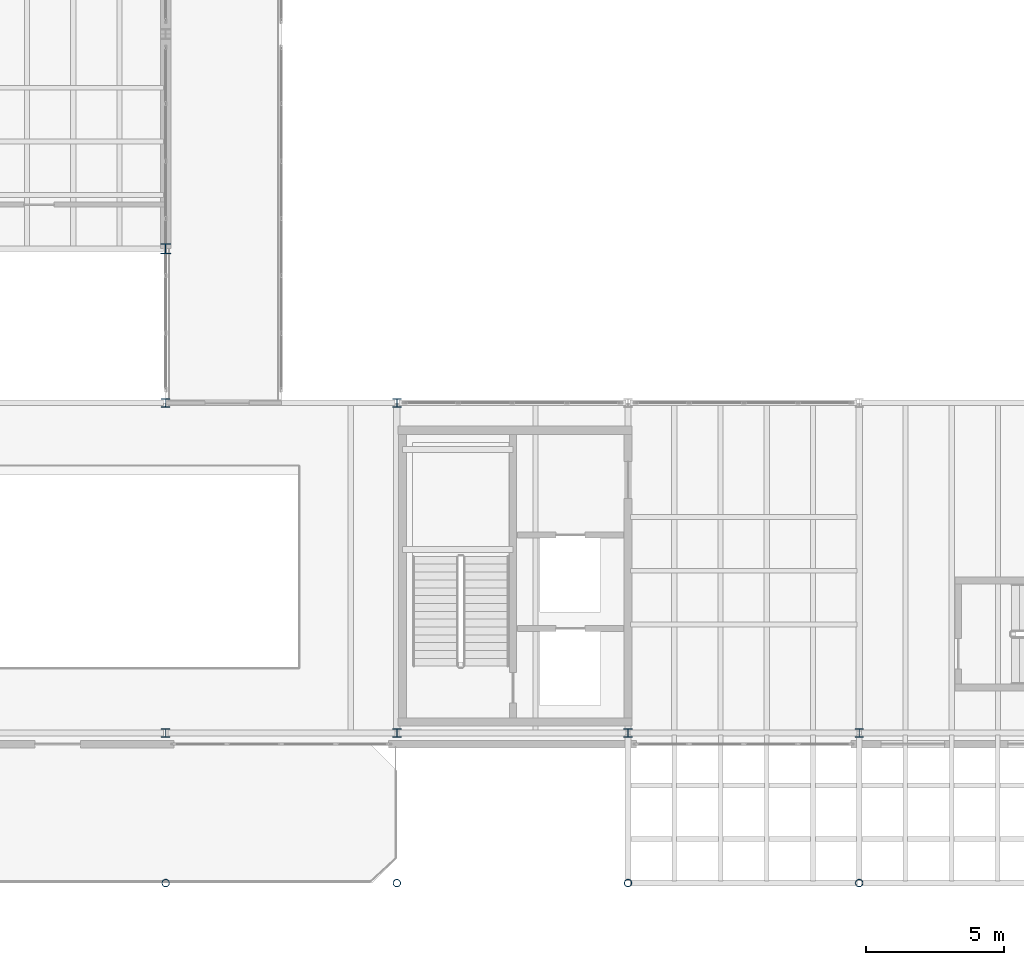
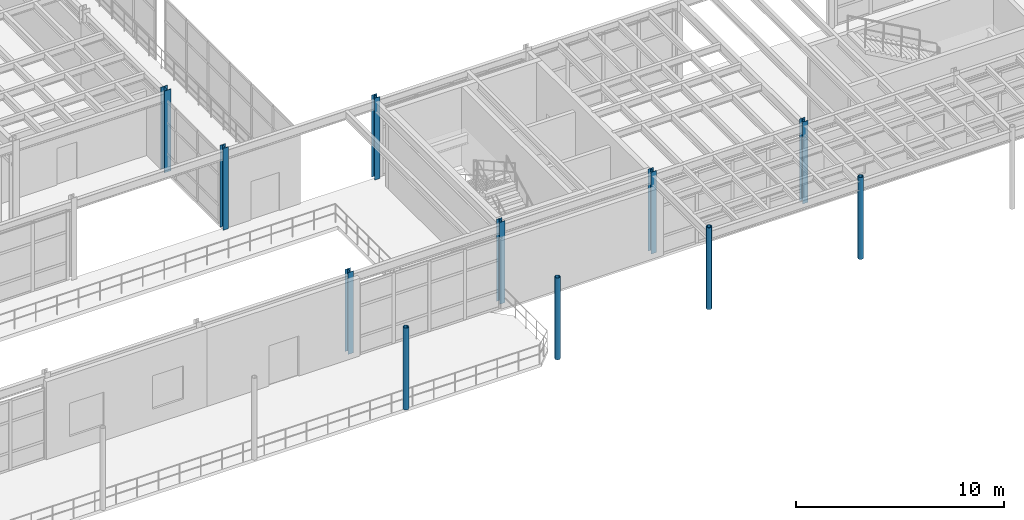
# One storey, part 6 of 116: 11 columns.
"""IFC4 building model written with IfcOpenShell, lengths in metres."""

from ifc_helpers import new_model, si_unit, direction, frame, origin, origin_2d, place, context, subcontext, project, spatial, hollow_circle, i_section, extrude, material, material_profile, profile_set, type_object, element, save


model = new_model("IFC4")

# Units and contexts
model_context = context("Model", 3, precision=1e-05, world=origin(), true_north=direction((0.0, 1.0)))
body_context = subcontext(model_context, "Body", "Model", "MODEL_VIEW")
ifc_project = project(units=[si_unit("LENGTHUNIT", "METRE"), si_unit("AREAUNIT", "SQUARE_METRE"), si_unit("VOLUMEUNIT", "CUBIC_METRE"), si_unit("PLANEANGLEUNIT", "RADIAN"), si_unit("MASSUNIT", "GRAM", prefix="KILO")], contexts=[model_context])

# Site, building, storey
site_placement = place(None, origin())
site = spatial("IfcSite", under=ifc_project, at=site_placement, CompositionType="ELEMENT")
building_placement = place(site_placement, origin())
building = spatial("IfcBuilding", under=site, at=building_placement, Name="Selat Folded Stagehouse", CompositionType="ELEMENT")
storey_placement = place(building_placement, frame((0.0, 0.0, 5.39990234375)))
storey = spatial("IfcBuildingStorey", under=building, at=storey_placement, Name="L01", CompositionType="ELEMENT", Elevation=5.39990234375)

# Columns
ifc_material = material(Name="Steel S355", Category="steel")
ifc_material_profile_1 = material_profile(ifc_material, hollow_circle(Radius=0.136474609375, WallThickness=0.012451171875, at=origin_2d()), Name="CHS 273.0x12.5")
ifc_profile_set_1 = profile_set([ifc_material_profile_1], Name="Steel S355")
column_type_1 = type_object("IfcColumnType", Name="COL-CHS-273x12.5", PredefinedType="COLUMN", material=ifc_profile_set_1)
for number, where, z_axis, x_axis, name in (
    (1, (67.199951171875, 0.35009765625, 0.0), (0.0, 0.0, 1.0), (1.0, 0.0, 0.0), "L01 column STK-COLPOST-67"),
    (2, (75.60009765625, 0.35009765625, 0.0), (0.0, 0.0, 1.0), (1.0, 0.0, 0.0), "L01 column STK-COLPOST-75"),
    (3, (84.0, 0.35009765625, 0.0), (0.0, 0.0, 1.0), (1.0, 0.0, 0.0), "L01 column STK-COLPOST-84"),
    (4, (92.39990234375, 0.35009765625, 0.0), (0.0, 0.0, 1.0), (1.0, 0.0, 0.0), "L01 column STK-COLPOST-92"),
):
    element("IfcColumn", number, at=place(storey_placement, frame(where, z_axis=z_axis, x_axis=x_axis)), inside=storey, type_object=column_type_1, Name=name, PredefinedType="COLUMN", context=body_context, shape_type="SweptSolid", body=[
        extrude(hollow_circle(Radius=0.136474609375, WallThickness=0.012451171875, at=origin_2d()), origin(), (0.0, 0.0, 1.0), 4.800048828125),
    ])
ifc_material_profile_2 = material_profile(ifc_material, i_section(OverallWidth=0.305419921875, OverallDepth=0.307861328125, WebThickness=0.010009765625, FlangeThickness=0.015380859375, FilletRadius=0.01513671875, at=origin_2d()), Name="UKC 305x305x97")
ifc_profile_set_2 = profile_set([ifc_material_profile_2], Name="Steel S355")
column_type_2 = type_object("IfcColumnType", Name="COL-UKC-305x305x97", PredefinedType="COLUMN", material=ifc_profile_set_2)
for number, where, z_axis, x_axis, name in (
    (5, (67.199951171875, 5.800048828125, 0.0), (0.0, 0.0, 1.0), (1.0, 0.0, 0.0), "L01 column STK-V5-67-58"),
    (6, (67.199951171875, 17.800048828125, 0.0), (0.0, 0.0, 1.0), (1.0, 0.0, 0.0), "L01 column STK-V5-67-178"),
    (7, (75.60009765625, 5.800048828125, 0.0), (0.0, 0.0, 1.0), (1.0, 0.0, 0.0), "L01 column STK-V5-75-58"),
    (8, (75.60009765625, 17.800048828125, 0.0), (0.0, 0.0, 1.0), (1.0, 0.0, 0.0), "L01 column STK-V5-75-178"),
    (9, (84.0, 5.800048828125, 0.0), (0.0, 0.0, 1.0), (1.0, 0.0, 0.0), "L01 column STK-V5-84-58"),
    (10, (92.39990234375, 5.800048828125, 0.0), (0.0, 0.0, 1.0), (1.0, 0.0, 0.0), "L01 column STK-V5-92-58"),
):
    element("IfcColumn", number, at=place(storey_placement, frame(where, z_axis=z_axis, x_axis=x_axis)), inside=storey, type_object=column_type_2, Name=name, PredefinedType="COLUMN", context=body_context, shape_type="SweptSolid", body=[
        extrude(i_section(OverallWidth=0.305419921875, OverallDepth=0.307861328125, WebThickness=0.010009765625, FlangeThickness=0.015380859375, FilletRadius=0.01513671875, at=origin_2d()), origin(), (0.0, 0.0, 1.0), 4.800048828125),
    ])
ifc_material_profile_3 = material_profile(ifc_material, i_section(OverallWidth=0.37255859375, OverallDepth=0.3681640625, WebThickness=0.014404296875, FlangeThickness=0.023681640625, FilletRadius=0.01513671875, at=origin_2d()), Name="UKC 356x368x177")
ifc_profile_set_3 = profile_set([ifc_material_profile_3], Name="Steel S355")
column_type_3 = type_object("IfcColumnType", Name="COL-UKC-356x368x177", PredefinedType="COLUMN", material=ifc_profile_set_3)
column_placement = place(storey_placement, frame((67.199951171875, 23.39990234375, 0.0), z_axis=(0.0, 0.0, 1.0), x_axis=(1.0, 0.0, 0.0)))
element("IfcColumn", 11, at=column_placement, inside=storey, type_object=column_type_3, Name="L01 column STK-V2-21", PredefinedType="COLUMN", context=body_context, shape_type="SweptSolid", body=[
    extrude(i_section(OverallWidth=0.37255859375, OverallDepth=0.3681640625, WebThickness=0.014404296875, FlangeThickness=0.023681640625, FilletRadius=0.01513671875, at=origin_2d()), origin(), (0.0, 0.0, 1.0), 4.800048828125),
])

save(model, "model.ifc")
